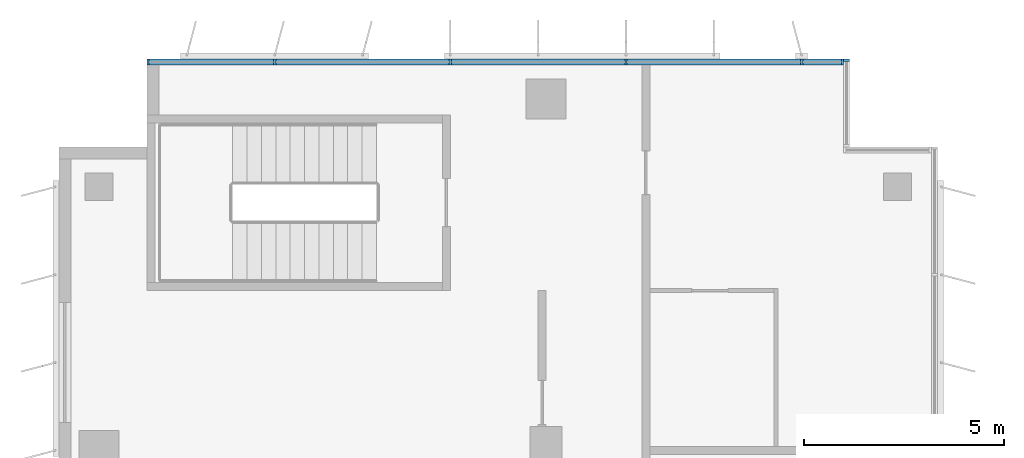
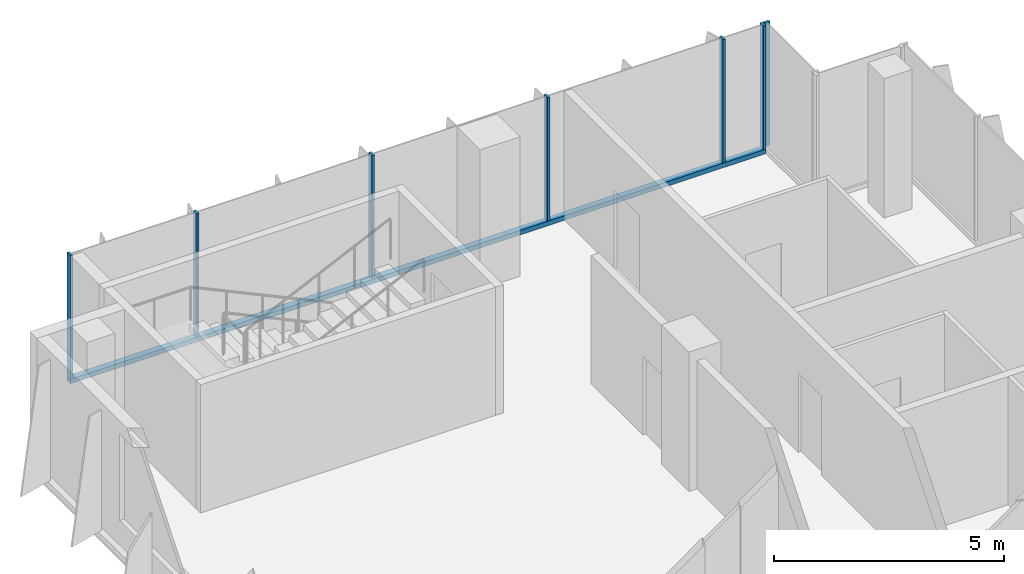
# One storey, part 9 of 21: 8 members, 2 elements without a shape of their own.
"""IFC4 building model written with IfcOpenShell, lengths in metres."""

from ifc_helpers import new_model, si_unit, direction, frame, origin, origin_2d, place, context, subcontext, project, spatial, rectangle, extrude, source, transform, mapped, material, material_profile, profile_set, type_object, element, aggregate, save


model = new_model("IFC4")

# Units and contexts
model_context = context("Model", 3, precision=1e-05, world=origin(), true_north=direction((0.0, 1.0)))
body_context = subcontext(model_context, "Body", "Model", "MODEL_VIEW")
ifc_project = project(units=[si_unit("LENGTHUNIT", "METRE"), si_unit("AREAUNIT", "SQUARE_METRE"), si_unit("VOLUMEUNIT", "CUBIC_METRE"), si_unit("PLANEANGLEUNIT", "RADIAN"), si_unit("MASSUNIT", "GRAM", prefix="KILO")], contexts=[model_context])

# Site, building, storey
site_placement = place(None, origin())
site = spatial("IfcSite", under=ifc_project, at=site_placement, CompositionType="ELEMENT")
building_placement = place(site_placement, origin())
building = spatial("IfcBuilding", under=site, at=building_placement, Name="Kemantara Hotel Tower", CompositionType="ELEMENT")
storey_placement = place(building_placement, frame((0.0, 0.0, 164.199951171875)))
storey = spatial("IfcBuildingStorey", under=building, at=storey_placement, Name="L40", CompositionType="ELEMENT", Elevation=164.199951171875)

# Curtain wall, members
ifc_material_1 = material(Name="Low-E tinted double insulated glass 36 mm", Category="glass")
curtain_wall_type = type_object("IfcCurtainWallType", Name="TOWER CURTAIN WALL, FRONT FACES", PredefinedType="USERDEFINED", material=ifc_material_1)
curtain_wall_1_placement = place(storey_placement, origin())
curtain_wall_1 = element("IfcCurtainWall", 1, at=curtain_wall_1_placement, inside=storey, type_object=curtain_wall_type, Name="CW4 L40 T3-R02-1", ObjectType="TOWER CURTAIN WALL, FRONT FACES", PredefinedType="USERDEFINED")
ifc_material_2 = material(Name="Aluminium 6063-T6 bronze anodised", Category="aluminium")
ifc_material_profile_1 = material_profile(ifc_material_2, rectangle(XDim=0.14990234375, YDim=0.1201171875, at=origin_2d()), Name="TOWER CURTAIN WALL, FRONT FACES TRANSOM")
ifc_profile_set_1 = profile_set([ifc_material_profile_1], Name="Aluminium 6063-T6 bronze anodised")
member_type_1 = type_object("IfcMemberType", Name="TOWER CURTAIN WALL, FRONT FACES TRANSOM", PredefinedType="USERDEFINED", material=ifc_profile_set_1)
member_1_placement = place(storey_placement, frame((19.64990234375, 63.52490234375, 0.06005859375), z_axis=(-1.0, 0.0, 0.0), x_axis=(0.0, -1.0, 0.0)))
member_1 = element("IfcMember", 2, at=member_1_placement, type_object=member_type_1, Name="CW4 sill transom T3-R02-1", ObjectType="TRANSOM", PredefinedType="USERDEFINED", context=body_context, shape_type="SweptSolid", body=[
    extrude(rectangle(XDim=0.14990234375, YDim=0.1201171875, at=origin_2d()), origin(), (0.0, 0.0, 1.0), 17.449951171875),
])
ifc_material_profile_2 = material_profile(ifc_material_2, rectangle(XDim=0.14990234375, YDim=0.06005859375, at=origin_2d()), Name="TOWER CURTAIN WALL, FRONT FACES MULLION")
ifc_profile_set_2 = profile_set([ifc_material_profile_2], Name="Aluminium 6063-T6 bronze anodised")
member_type_2 = type_object("IfcMemberType", Name="TOWER CURTAIN WALL, FRONT FACES MULLION", PredefinedType="MULLION", material=ifc_profile_set_2)
shared_shape = source(origin(), body_context, "Body", "SweptSolid", [
    extrude(rectangle(XDim=0.14990234375, YDim=0.06005859375, at=origin_2d()), origin(), (0.0, 0.0, 1.0), 3.280029296875),
])
member_2_placement = place(storey_placement, frame((19.6201171875, 63.52490234375, 0.1201171875), z_axis=(0.0, 0.0, 1.0), x_axis=(0.0, -1.0, 0.0)))
member_2 = element("IfcMember", 3, at=member_2_placement, type_object=member_type_2, Name="CW4 mullion T3-R02-1.1", PredefinedType="MULLION", context=body_context, shape_type="MappedRepresentation", body=[
    mapped(shared_shape, transform((0.0, 0.0, 0.0))),
])
member_3_placement = place(storey_placement, frame((18.60009765625, 63.52490234375, 0.1201171875), z_axis=(0.0, 0.0, 1.0), x_axis=(0.0, -1.0, 0.0)))
member_3 = element("IfcMember", 4, at=member_3_placement, type_object=member_type_2, Name="CW4 mullion T3-R02-1.2", PredefinedType="MULLION", context=body_context, shape_type="MappedRepresentation", body=[
    mapped(shared_shape, transform((0.0, 0.0, 0.0))),
])
member_4_placement = place(storey_placement, frame((14.199951171875, 63.52490234375, 0.1201171875), z_axis=(0.0, 0.0, 1.0), x_axis=(0.0, -1.0, 0.0)))
member_4 = element("IfcMember", 5, at=member_4_placement, type_object=member_type_2, Name="CW4 mullion T3-R02-1.3", PredefinedType="MULLION", context=body_context, shape_type="MappedRepresentation", body=[
    mapped(shared_shape, transform((0.0, 0.0, 0.0))),
])
member_5_placement = place(storey_placement, frame((9.800048828125, 63.52490234375, 0.1201171875), z_axis=(0.0, 0.0, 1.0), x_axis=(0.0, -1.0, 0.0)))
member_5 = element("IfcMember", 6, at=member_5_placement, type_object=member_type_2, Name="CW4 mullion T3-R02-1.4", PredefinedType="MULLION", context=body_context, shape_type="MappedRepresentation", body=[
    mapped(shared_shape, transform((0.0, 0.0, 0.0))),
])
member_6_placement = place(storey_placement, frame((5.39990234375, 63.52490234375, 0.1201171875), z_axis=(0.0, 0.0, 1.0), x_axis=(0.0, -1.0, 0.0)))
member_6 = element("IfcMember", 7, at=member_6_placement, type_object=member_type_2, Name="CW4 mullion T3-R02-1.5", PredefinedType="MULLION", context=body_context, shape_type="MappedRepresentation", body=[
    mapped(shared_shape, transform((0.0, 0.0, 0.0))),
])
member_7_placement = place(storey_placement, frame((2.22998046875, 63.52490234375, 0.1201171875), z_axis=(0.0, 0.0, 1.0), x_axis=(0.0, -1.0, 0.0)))
member_7 = element("IfcMember", 8, at=member_7_placement, type_object=member_type_2, Name="CW4 mullion T3-R02-1.6", PredefinedType="MULLION", context=body_context, shape_type="MappedRepresentation", body=[
    mapped(shared_shape, transform((0.0, 0.0, 0.0))),
])
aggregate(curtain_wall_1, [member_1, member_2, member_3, member_4, member_5, member_6, member_7])

# Curtain wall, member
curtain_wall_2_placement = place(storey_placement, origin())
curtain_wall_2 = element("IfcCurtainWall", 9, at=curtain_wall_2_placement, inside=storey, type_object=curtain_wall_type, Name="CW4 L40 T3-R01-1", ObjectType="TOWER CURTAIN WALL, FRONT FACES", PredefinedType="USERDEFINED")
member_8_placement = place(storey_placement, frame((19.72509765625, 63.570068359375, 0.1201171875), z_axis=(0.0, 0.0, 1.0), x_axis=(-1.0, 0.0, 0.0)))
member_8 = element("IfcMember", 10, at=member_8_placement, type_object=member_type_2, Name="CW4 mullion T3-R01-1.2", PredefinedType="MULLION", context=body_context, shape_type="MappedRepresentation", body=[
    mapped(shared_shape, transform((0.0, 0.0, 0.0))),
])
aggregate(curtain_wall_2, [member_8])

save(model, "model.ifc")
